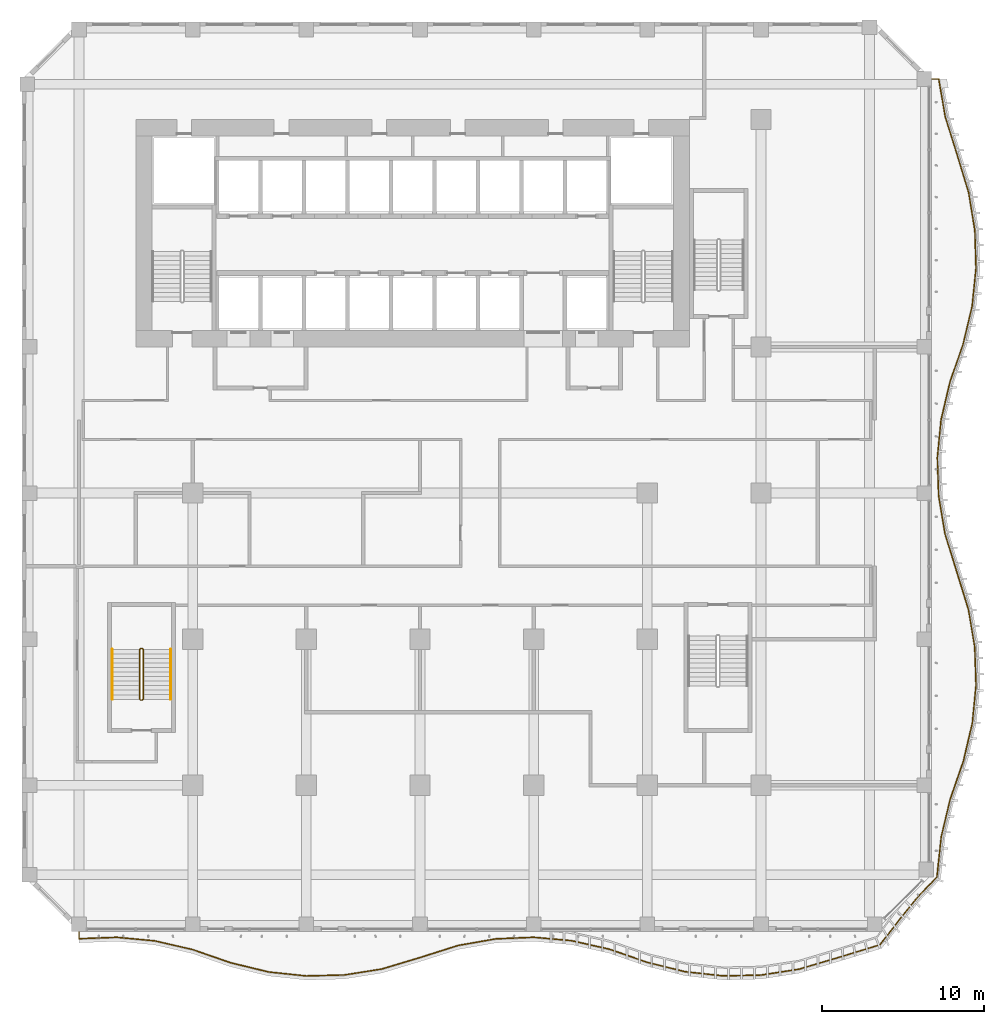
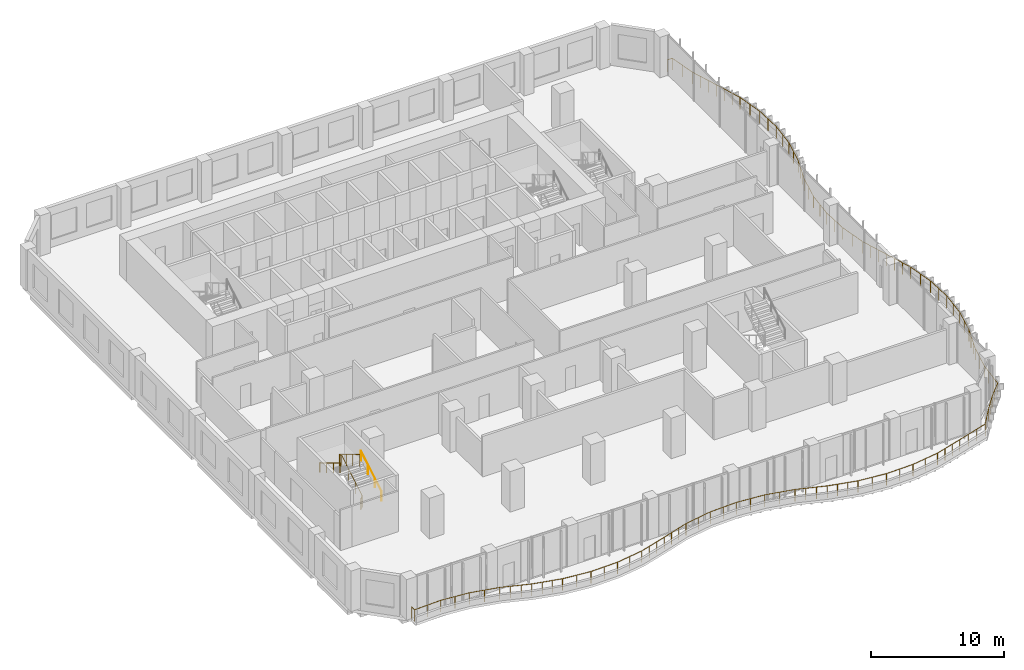
# One storey, part 18 of 25: 4 railings.
"""IFC4 building model written with IfcOpenShell, lengths in metres."""

from ifc_helpers import new_model, si_unit, direction, frame, origin, origin_2d, place, context, subcontext, project, spatial, circle, extrude, material, type_object, element, save


model = new_model("IFC4")

# Units and contexts
model_context = context("Model", 3, precision=1e-05, world=origin(), true_north=direction((0.0, 1.0)))
body_context = subcontext(model_context, "Body", "Model", "MODEL_VIEW")
ifc_project = project(units=[si_unit("LENGTHUNIT", "METRE"), si_unit("AREAUNIT", "SQUARE_METRE"), si_unit("VOLUMEUNIT", "CUBIC_METRE"), si_unit("PLANEANGLEUNIT", "RADIAN"), si_unit("MASSUNIT", "GRAM", prefix="KILO")], contexts=[model_context])

# Site, building, storey
site_placement = place(None, origin())
site = spatial("IfcSite", under=ifc_project, at=site_placement, CompositionType="ELEMENT")
building_placement = place(site_placement, origin())
building = spatial("IfcBuilding", under=site, at=building_placement, Name="Kilnfold Tower and Market Hall", CompositionType="ELEMENT")
storey_placement = place(building_placement, frame((0.0, 0.0, 67.199951171875)))
storey = spatial("IfcBuildingStorey", under=building, at=storey_placement, Name="L15", CompositionType="ELEMENT", Elevation=67.199951171875)

# Railings
ifc_material_1 = material(Name="Stainless steel 316", Category="steel")
railing_type_1 = type_object("IfcRailingType", Name="CORE STAIR GUARD 1100", PredefinedType="GUARDRAIL", material=ifc_material_1)
railing_1_placement = place(storey_placement, frame((-15.699951171875, -13.75, 0.0)))
element("IfcRailing", 1, at=railing_1_placement, inside=storey, type_object=railing_type_1, Name="L15 ST3 stair guard 1", PredefinedType="GUARDRAIL", context=body_context, shape_type="SweptSolid", body=[
    extrude(circle(Radius=0.02392578125, at=origin_2d()), frame((0.0, 0.0, 1.076171875), z_axis=(1.0, 0.0, 0.0), x_axis=(0.0, 1.0, 0.0)), (0.0, 0.0, 1.0), 0.099853515625),
    extrude(circle(Radius=0.02392578125, at=origin_2d()), frame((0.099853515625, 0.0, 1.076171875), z_axis=(0.27628659633, 0.27628659633, 0.920506074601), x_axis=(-0.707106781187, 0.707106781187, 0.0)), (0.0, 0.0, 1.0), 0.18115234375),
    extrude(circle(Radius=0.02392578125, at=origin_2d()), frame((0.14990234375, 0.050048828125, 1.24267578125), z_axis=(0.0, 0.859290745958, 0.51148745235), x_axis=(-1.0, 0.0, 0.0)), (0.0, 0.0, 1.0), 3.584228515625),
    extrude(circle(Radius=0.02392578125, at=origin_2d()), frame((0.14990234375, 3.1298828125, 3.076171875), z_axis=(-0.707106781187, 0.707106781187, 0.0), x_axis=(-0.707106781187, -0.707106781187, 0.0)), (0.0, 0.0, 1.0), 0.07080078125),
    extrude(circle(Radius=0.02392578125, at=origin_2d()), frame((0.099853515625, 3.179931640625, 3.076171875), z_axis=(-1.0, 0.0, 0.0), x_axis=(0.0, -1.0, 0.0)), (0.0, 0.0, 1.0), 0.099853515625),
    extrude(circle(Radius=0.02392578125, at=origin_2d()), frame((0.0, 3.179931640625, 3.076171875), z_axis=(-0.27628659633, -0.27628659633, 0.920506074601), x_axis=(0.707106781187, -0.707106781187, 0.0)), (0.0, 0.0, 1.0), 0.18115234375),
    extrude(circle(Radius=0.02392578125, at=origin_2d()), frame((-0.050048828125, 3.1298828125, 3.24267578125), z_axis=(0.0, -0.859290745958, 0.51148745235), x_axis=(1.0, 0.0, 0.0)), (0.0, 0.0, 1.0), 3.584228515625),
    extrude(circle(Radius=0.02099609375, at=origin_2d()), origin(), (0.0, 0.0, 1.0), 1.052001953125),
    extrude(circle(Radius=0.02099609375, at=origin_2d()), frame((0.099853515625, 0.0, 0.0)), (0.0, 0.0, 1.0), 1.052001953125),
    extrude(circle(Radius=0.02099609375, at=origin_2d()), frame((0.14990234375, 0.050048828125, 0.166748046875)), (0.0, 0.0, 1.0), 1.052001953125),
    extrude(circle(Radius=0.02099609375, at=origin_2d()), frame((0.14990234375, 1.07666015625, 0.77783203125)), (0.0, 0.0, 1.0), 1.052001953125),
    extrude(circle(Radius=0.02099609375, at=origin_2d()), frame((0.14990234375, 2.103271484375, 1.388916015625)), (0.0, 0.0, 1.0), 1.052001953125),
    extrude(circle(Radius=0.02099609375, at=origin_2d()), frame((0.14990234375, 3.1298828125, 2.0)), (0.0, 0.0, 1.0), 1.052001953125),
    extrude(circle(Radius=0.02099609375, at=origin_2d()), frame((0.099853515625, 3.179931640625, 2.0)), (0.0, 0.0, 1.0), 1.052001953125),
    extrude(circle(Radius=0.02099609375, at=origin_2d()), frame((0.0, 3.179931640625, 2.0)), (0.0, 0.0, 1.0), 1.052001953125),
    extrude(circle(Radius=0.02099609375, at=origin_2d()), frame((-0.050048828125, 3.1298828125, 2.166748046875)), (0.0, 0.0, 1.0), 1.052001953125),
    extrude(circle(Radius=0.02099609375, at=origin_2d()), frame((-0.050048828125, 2.103271484375, 2.77783203125)), (0.0, 0.0, 1.0), 1.052001953125),
    extrude(circle(Radius=0.02099609375, at=origin_2d()), frame((-0.050048828125, 1.07666015625, 3.388916015625)), (0.0, 0.0, 1.0), 1.052001953125),
    extrude(circle(Radius=0.02099609375, at=origin_2d()), frame((-0.050048828125, 0.050048828125, 4.0)), (0.0, 0.0, 1.0), 1.052001953125),
])
ifc_material_2 = material(Name="Stainless steel 316", Category="steel")
railing_type_2 = type_object("IfcRailingType", Name="CORE STAIR HANDRAIL 900", PredefinedType="HANDRAIL", material=ifc_material_2)
railing_2_placement = place(storey_placement, frame((-13.85009765625, -13.699951171875, 0.166748046875)))
element("IfcRailing", 2, at=railing_2_placement, inside=storey, type_object=railing_type_2, Name="L15 ST3 stair handrail 1", PredefinedType="HANDRAIL", context=body_context, shape_type="SweptSolid", body=[
    extrude(circle(Radius=0.02392578125, at=origin_2d()), frame((0.0, 0.0, 0.8759765625), z_axis=(0.0, 0.859290745958, 0.51148745235), x_axis=(-1.0, 0.0, 0.0)), (0.0, 0.0, 1.0), 3.584228515625),
    extrude(circle(Radius=0.02099609375, at=origin_2d()), origin(), (0.0, 0.0, 1.0), 0.851806640625),
    extrude(circle(Radius=0.02099609375, at=origin_2d()), frame((0.0, 1.026611328125, 0.611083984375)), (0.0, 0.0, 1.0), 0.851806640625),
    extrude(circle(Radius=0.02099609375, at=origin_2d()), frame((0.0, 2.05322265625, 1.22216796875)), (0.0, 0.0, 1.0), 0.851806640625),
    extrude(circle(Radius=0.02099609375, at=origin_2d()), frame((0.0, 3.079833984375, 1.833251953125)), (0.0, 0.0, 1.0), 0.851806640625),
])
railing_3_placement = place(storey_placement, frame((-17.449951171875, -10.6201171875, 2.166748046875)))
element("IfcRailing", 3, at=railing_3_placement, inside=storey, type_object=railing_type_2, Name="L15 ST3 stair handrail 2", PredefinedType="HANDRAIL", context=body_context, shape_type="SweptSolid", body=[
    extrude(circle(Radius=0.02392578125, at=origin_2d()), frame((0.0, 0.0, 0.8759765625), z_axis=(0.0, -0.859290745958, 0.51148745235), x_axis=(1.0, 0.0, 0.0)), (0.0, 0.0, 1.0), 3.584228515625),
    extrude(circle(Radius=0.02099609375, at=origin_2d()), origin(), (0.0, 0.0, 1.0), 0.851806640625),
    extrude(circle(Radius=0.02099609375, at=origin_2d()), frame((0.0, -1.026611328125, 0.611083984375)), (0.0, 0.0, 1.0), 0.851806640625),
    extrude(circle(Radius=0.02099609375, at=origin_2d()), frame((0.0, -2.05322265625, 1.22216796875)), (0.0, 0.0, 1.0), 0.851806640625),
    extrude(circle(Radius=0.02099609375, at=origin_2d()), frame((0.0, -3.079833984375, 1.833251953125)), (0.0, 0.0, 1.0), 0.851806640625),
])
ifc_material_3 = material(Name="Stainless steel and laminated glass", Category="steel")
railing_type_3 = type_object("IfcRailingType", Name="GUARD 1100", PredefinedType="GUARDRAIL", material=ifc_material_3)
railing_4_placement = place(storey_placement, frame((-19.5, -28.0, 0.0)))
element("IfcRailing", 4, at=railing_4_placement, inside=storey, type_object=railing_type_3, Name="Guard balcony L15", PredefinedType="GUARDRAIL", context=body_context, shape_type="SweptSolid", body=[
    extrude(circle(Radius=0.02490234375, at=origin_2d()), frame((0.0, 0.0, 1.0751953125), z_axis=(0.0, -1.0, 0.0), x_axis=(1.0, 0.0, 0.0)), (0.0, 0.0, 1.0), 0.44482421875),
    extrude(circle(Radius=0.02490234375, at=origin_2d()), frame((0.0, -0.44482421875, 1.0751953125), z_axis=(0.99929128772, 0.037642028208, 0.0), x_axis=(-0.037642028208, 0.99929128772, 0.0)), (0.0, 0.0, 1.0), 2.3349609375),
    extrude(circle(Radius=0.02490234375, at=origin_2d()), frame((2.333251953125, -0.35693359375, 1.0751953125), z_axis=(0.995644505792, -0.093230993166, 0.0), x_axis=(0.093230993166, 0.995644505792, 0.0)), (0.0, 0.0, 1.0), 2.34375),
    extrude(circle(Radius=0.02490234375, at=origin_2d()), frame((4.666748046875, -0.575439453125, 1.0751953125), z_axis=(0.974513070735, -0.224330726757, 0.0), x_axis=(0.224330726757, 0.974513070735, 0.0)), (0.0, 0.0, 1.0), 2.394287109375),
    extrude(circle(Radius=0.02490234375, at=origin_2d()), frame((7.0, -1.112548828125, 1.0751953125), z_axis=(0.94477785136, -0.327711476118, 0.0), x_axis=(0.327711476118, 0.94477785136, 0.0)), (0.0, 0.0, 1.0), 2.4697265625),
    extrude(circle(Radius=0.02490234375, at=origin_2d()), frame((9.333251953125, -1.921875, 1.0751953125), z_axis=(0.971689053427, -0.236263377293, 0.0), x_axis=(0.236263377293, 0.971689053427, 0.0)), (0.0, 0.0, 1.0), 2.4013671875),
    extrude(circle(Radius=0.02490234375, at=origin_2d()), frame((11.666748046875, -2.4892578125, 1.0751953125), z_axis=(0.994451154316, -0.105199342578, 0.0), x_axis=(0.105199342578, 0.994451154316, 0.0)), (0.0, 0.0, 1.0), 2.34619140625),
    extrude(circle(Radius=0.02490234375, at=origin_2d()), frame((14.0, -2.736083984375, 1.0751953125), z_axis=(0.999666187007, 0.025836303044, 0.0), x_axis=(-0.025836303044, 0.999666187007, 0.0)), (0.0, 0.0, 1.0), 2.333984375),
    extrude(circle(Radius=0.02490234375, at=origin_2d()), frame((16.333251953125, -2.67578125, 1.0751953125), z_axis=(0.987637813882, 0.156753145392, 0.0), x_axis=(-0.156753145392, 0.987637813882, 0.0)), (0.0, 0.0, 1.0), 2.36279296875),
    extrude(circle(Radius=0.02490234375, at=origin_2d()), frame((18.666748046875, -2.305419921875, 1.0751953125), z_axis=(0.957663412718, 0.287890235925, 0.0), x_axis=(-0.287890235925, 0.957663412718, 0.0)), (0.0, 0.0, 1.0), 2.436279296875),
    extrude(circle(Radius=0.02490234375, at=origin_2d()), frame((21.0, -1.60400390625, 1.0751953125), z_axis=(0.952921851424, 0.303216003995, 0.0), x_axis=(-0.303216003995, 0.952921851424, 0.0)), (0.0, 0.0, 1.0), 2.448486328125),
    extrude(circle(Radius=0.02490234375, at=origin_2d()), frame((23.333251953125, -0.861572265625, 1.0751953125), z_axis=(0.984971791129, 0.172715287919, 0.0), x_axis=(-0.172715287919, 0.984971791129, 0.0)), (0.0, 0.0, 1.0), 2.369140625),
    extrude(circle(Radius=0.02490234375, at=origin_2d()), frame((25.666748046875, -0.452392578125, 1.0751953125), z_axis=(0.999129627144, 0.041713165348, 0.0), x_axis=(-0.041713165348, 0.999129627144, 0.0)), (0.0, 0.0, 1.0), 2.335205078125),
    extrude(circle(Radius=0.02490234375, at=origin_2d()), frame((28.0, -0.35498046875, 1.0751953125), z_axis=(0.996003508368, -0.089314116006, 0.0), x_axis=(0.089314116006, 0.996003508368, 0.0)), (0.0, 0.0, 1.0), 2.342529296875),
    extrude(circle(Radius=0.02490234375, at=origin_2d()), frame((30.333251953125, -0.564208984375, 1.0751953125), z_axis=(0.975424731517, -0.220332914349, 0.0), x_axis=(0.220332914349, 0.975424731517, 0.0)), (0.0, 0.0, 1.0), 2.392333984375),
    extrude(circle(Radius=0.02490234375, at=origin_2d()), frame((32.666748046875, -1.09130859375, 1.0751953125), z_axis=(0.944930811153, -0.327270166885, 0.0), x_axis=(0.327270166885, 0.944930811153, 0.0)), (0.0, 0.0, 1.0), 2.46923828125),
    extrude(circle(Radius=0.02490234375, at=origin_2d()), frame((35.0, -1.8994140625, 1.0751953125), z_axis=(0.970719285672, -0.240216711375, 0.0), x_axis=(0.240216711375, 0.970719285672, 0.0)), (0.0, 0.0, 1.0), 2.403564453125),
    extrude(circle(Radius=0.02490234375, at=origin_2d()), frame((37.333251953125, -2.476806640625, 1.0751953125), z_axis=(0.994031227519, -0.109095915219, 0.0), x_axis=(0.109095915219, 0.994031227519, 0.0)), (0.0, 0.0, 1.0), 2.347412109375),
    extrude(circle(Radius=0.02490234375, at=origin_2d()), frame((39.666748046875, -2.73291015625, 1.0751953125), z_axis=(0.999763244951, 0.021758999158, 0.0), x_axis=(-0.021758999158, 0.999763244951, 0.0)), (0.0, 0.0, 1.0), 2.333740234375),
    extrude(circle(Radius=0.02490234375, at=origin_2d()), frame((42.0, -2.68212890625, 1.0751953125), z_axis=(0.988251847609, 0.152834177123, 0.0), x_axis=(-0.152834177123, 0.988251847609, 0.0)), (0.0, 0.0, 1.0), 2.361083984375),
    extrude(circle(Radius=0.02490234375, at=origin_2d()), frame((44.333251953125, -2.3212890625, 1.0751953125), z_axis=(0.95888005112, 0.283811640994, 0.0), x_axis=(-0.283811640994, 0.95888005112, 0.0)), (0.0, 0.0, 1.0), 2.43359375),
    extrude(circle(Radius=0.02490234375, at=origin_2d()), frame((46.666748046875, -1.630615234375, 1.0751953125), z_axis=(0.956056495729, 0.29318249773, 0.0), x_axis=(-0.29318249773, 0.956056495729, 0.0)), (0.0, 0.0, 1.0), 2.792236328125),
    extrude(circle(Radius=0.02490234375, at=origin_2d()), frame((49.336181640625, -0.81201171875, 1.0751953125), z_axis=(0.608544097831, 0.793520057084, 0.0), x_axis=(-0.793520057084, 0.608544097831, 0.0)), (0.0, 0.0, 1.0), 2.00341796875),
    extrude(circle(Radius=0.02490234375, at=origin_2d()), frame((50.555419921875, 0.77783203125, 1.0751953125), z_axis=(0.630404206472, 0.776267052284, 0.0), x_axis=(-0.776267052284, 0.630404206472, 0.0)), (0.0, 0.0, 1.0), 1.65869140625),
    extrude(circle(Radius=0.02490234375, at=origin_2d()), frame((51.60107421875, 2.0654296875, 1.0751953125), z_axis=(0.689072203812, 0.724692692066, 0.0), x_axis=(-0.724692692066, 0.689072203812, 0.0)), (0.0, 0.0, 1.0), 1.788818359375),
    extrude(circle(Radius=0.02490234375, at=origin_2d()), frame((52.833740234375, 3.36181640625, 1.0751953125), z_axis=(0.106668378268, 0.994294653047, 0.0), x_axis=(-0.994294653047, 0.106668378268, 0.0)), (0.0, 0.0, 1.0), 2.485595703125),
    extrude(circle(Radius=0.02490234375, at=origin_2d()), frame((53.098876953125, 5.833251953125, 1.0751953125), z_axis=(0.232225826385, 0.972661896838, 0.0), x_axis=(-0.972661896838, 0.232225826385, 0.0)), (0.0, 0.0, 1.0), 2.399169921875),
    extrude(circle(Radius=0.02490234375, at=origin_2d()), frame((53.656005859375, 8.166748046875, 1.0751953125), z_axis=(0.327976158754, 0.944686000367, 0.0), x_axis=(-0.944686000367, 0.327976158754, 0.0)), (0.0, 0.0, 1.0), 2.469970703125),
    extrude(circle(Radius=0.02490234375, at=origin_2d()), frame((54.466064453125, 10.5, 1.0751953125), z_axis=(0.228198867295, 0.973614542293, 0.0), x_axis=(-0.973614542293, 0.228198867295, 0.0)), (0.0, 0.0, 1.0), 2.396484375),
    extrude(circle(Radius=0.02490234375, at=origin_2d()), frame((55.012939453125, 12.833251953125, 1.0751953125), z_axis=(0.097255940957, 0.995259404351, 0.0), x_axis=(-0.995259404351, 0.097255940957, 0.0)), (0.0, 0.0, 1.0), 2.3447265625),
    extrude(circle(Radius=0.02490234375, at=origin_2d()), frame((55.240966796875, 15.166748046875, 1.0751953125), z_axis=(-0.033673473879, 0.99943288777, 0.0), x_axis=(-0.99943288777, -0.033673473879, 0.0)), (0.0, 0.0, 1.0), 2.33447265625),
    extrude(circle(Radius=0.02490234375, at=origin_2d()), frame((55.162353515625, 17.5, 1.0751953125), z_axis=(-0.164817368585, 0.986324102419, 0.0), x_axis=(-0.986324102419, -0.164817368585, 0.0)), (0.0, 0.0, 1.0), 2.36572265625),
    extrude(circle(Radius=0.02490234375, at=origin_2d()), frame((54.7724609375, 19.833251953125, 1.0751953125), z_axis=(-0.295735845624, 0.95526975751, 0.0), x_axis=(-0.95526975751, -0.295735845624, 0.0)), (0.0, 0.0, 1.0), 2.44287109375),
    extrude(circle(Radius=0.02490234375, at=origin_2d()), frame((54.050048828125, 22.166748046875, 1.0751953125), z_axis=(-0.29585528967, 0.955232771409, 0.0), x_axis=(-0.955232771409, -0.29585528967, 0.0)), (0.0, 0.0, 1.0), 2.442626953125),
    extrude(circle(Radius=0.02490234375, at=origin_2d()), frame((53.327392578125, 24.5, 1.0751953125), z_axis=(-0.164716965182, 0.986340874841, 0.0), x_axis=(-0.986340874841, -0.164716965182, 0.0)), (0.0, 0.0, 1.0), 2.365478515625),
    extrude(circle(Radius=0.02490234375, at=origin_2d()), frame((52.937744140625, 26.833251953125, 1.0751953125), z_axis=(-0.033774400789, 0.99942948218, 0.0), x_axis=(-0.99942948218, -0.033774400789, 0.0)), (0.0, 0.0, 1.0), 2.334716796875),
    extrude(circle(Radius=0.02490234375, at=origin_2d()), frame((52.85888671875, 29.166748046875, 1.0751953125), z_axis=(0.097266021095, 0.995258419276, 0.0), x_axis=(-0.995258419276, 0.097266021095, 0.0)), (0.0, 0.0, 1.0), 2.344482421875),
    extrude(circle(Radius=0.02490234375, at=origin_2d()), frame((53.0869140625, 31.5, 1.0751953125), z_axis=(0.228295433335, 0.973591903786, 0.0), x_axis=(-0.973591903786, 0.228295433335, 0.0)), (0.0, 0.0, 1.0), 2.396484375),
    extrude(circle(Radius=0.02490234375, at=origin_2d()), frame((53.634033203125, 33.833251953125, 1.0751953125), z_axis=(0.327945535063, 0.944696631746, 0.0), x_axis=(-0.944696631746, 0.327945535063, 0.0)), (0.0, 0.0, 1.0), 2.47021484375),
    extrude(circle(Radius=0.02490234375, at=origin_2d()), frame((54.444091796875, 36.166748046875, 1.0751953125), z_axis=(0.232248814801, 0.972656408, 0.0), x_axis=(-0.972656408, 0.232248814801, 0.0)), (0.0, 0.0, 1.0), 2.39892578125),
    extrude(circle(Radius=0.02490234375, at=origin_2d()), frame((55.001220703125, 38.5, 1.0751953125), z_axis=(0.101286610936, 0.994857287477, 0.0), x_axis=(-0.994857287477, 0.101286610936, 0.0)), (0.0, 0.0, 1.0), 2.34521484375),
    extrude(circle(Radius=0.02490234375, at=origin_2d()), frame((55.23876953125, 40.833251953125, 1.0751953125), z_axis=(-0.029804706654, 0.999555741048, 0.0), x_axis=(-0.999555741048, -0.029804706654, 0.0)), (0.0, 0.0, 1.0), 2.33447265625),
    extrude(circle(Radius=0.02490234375, at=origin_2d()), frame((55.169189453125, 43.166748046875, 1.0751953125), z_axis=(-0.160797265855, 0.986987456503, 0.0), x_axis=(-0.986987456503, -0.160797265855, 0.0)), (0.0, 0.0, 1.0), 2.364013671875),
    extrude(circle(Radius=0.02490234375, at=origin_2d()), frame((54.7890625, 45.5, 1.0751953125), z_axis=(-0.291834576062, 0.956468807758, 0.0), x_axis=(-0.956468807758, -0.291834576062, 0.0)), (0.0, 0.0, 1.0), 2.439453125),
    extrude(circle(Radius=0.02490234375, at=origin_2d()), frame((54.0771484375, 47.833251953125, 1.0751953125), z_axis=(-0.299650095299, 0.954049170843, 0.0), x_axis=(-0.954049170843, -0.299650095299, 0.0)), (0.0, 0.0, 1.0), 2.44580078125),
    extrude(circle(Radius=0.02490234375, at=origin_2d()), frame((53.34423828125, 50.166748046875, 1.0751953125), z_axis=(-0.168729077701, 0.985662466739, 0.0), x_axis=(-0.985662466739, -0.168729077701, 0.0)), (0.0, 0.0, 1.0), 2.3671875),
    extrude(circle(Radius=0.02490234375, at=origin_2d()), frame((52.94482421875, 52.5, 1.0751953125), z_axis=(-1.0, 0.0, 0.0), x_axis=(0.0, -1.0, 0.0)), (0.0, 0.0, 1.0), 0.44482421875),
    extrude(circle(Radius=0.02490234375, at=origin_2d()), origin(), (0.0, 0.0, 1.0), 1.050048828125),
    extrude(circle(Radius=0.02490234375, at=origin_2d()), frame((0.0, -0.44482421875, 0.0)), (0.0, 0.0, 1.0), 1.050048828125),
    extrude(circle(Radius=0.02490234375, at=origin_2d()), frame((1.16650390625, -0.40087890625, 0.0)), (0.0, 0.0, 1.0), 1.050048828125),
    extrude(circle(Radius=0.02490234375, at=origin_2d()), frame((2.333251953125, -0.35693359375, 0.0)), (0.0, 0.0, 1.0), 1.050048828125),
    extrude(circle(Radius=0.02490234375, at=origin_2d()), frame((3.5, -0.46630859375, 0.0)), (0.0, 0.0, 1.0), 1.050048828125),
    extrude(circle(Radius=0.02490234375, at=origin_2d()), frame((4.666748046875, -0.575439453125, 0.0)), (0.0, 0.0, 1.0), 1.050048828125),
    extrude(circle(Radius=0.02490234375, at=origin_2d()), frame((5.83349609375, -0.843994140625, 0.0)), (0.0, 0.0, 1.0), 1.050048828125),
    extrude(circle(Radius=0.02490234375, at=origin_2d()), frame((7.0, -1.112548828125, 0.0)), (0.0, 0.0, 1.0), 1.050048828125),
    extrude(circle(Radius=0.02490234375, at=origin_2d()), frame((7.77783203125, -1.38232421875, 0.0)), (0.0, 0.0, 1.0), 1.050048828125),
    extrude(circle(Radius=0.02490234375, at=origin_2d()), frame((8.555419921875, -1.652099609375, 0.0)), (0.0, 0.0, 1.0), 1.050048828125),
    extrude(circle(Radius=0.02490234375, at=origin_2d()), frame((9.333251953125, -1.921875, 0.0)), (0.0, 0.0, 1.0), 1.050048828125),
    extrude(circle(Radius=0.02490234375, at=origin_2d()), frame((10.111083984375, -2.111083984375, 0.0)), (0.0, 0.0, 1.0), 1.050048828125),
    extrude(circle(Radius=0.02490234375, at=origin_2d()), frame((10.888916015625, -2.300048828125, 0.0)), (0.0, 0.0, 1.0), 1.050048828125),
    extrude(circle(Radius=0.02490234375, at=origin_2d()), frame((11.666748046875, -2.4892578125, 0.0)), (0.0, 0.0, 1.0), 1.050048828125),
    extrude(circle(Radius=0.02490234375, at=origin_2d()), frame((12.83349609375, -2.61279296875, 0.0)), (0.0, 0.0, 1.0), 1.050048828125),
    extrude(circle(Radius=0.02490234375, at=origin_2d()), frame((14.0, -2.736083984375, 0.0)), (0.0, 0.0, 1.0), 1.050048828125),
    extrude(circle(Radius=0.02490234375, at=origin_2d()), frame((15.16650390625, -2.7060546875, 0.0)), (0.0, 0.0, 1.0), 1.050048828125),
    extrude(circle(Radius=0.02490234375, at=origin_2d()), frame((16.333251953125, -2.67578125, 0.0)), (0.0, 0.0, 1.0), 1.050048828125),
    extrude(circle(Radius=0.02490234375, at=origin_2d()), frame((17.5, -2.49072265625, 0.0)), (0.0, 0.0, 1.0), 1.050048828125),
    extrude(circle(Radius=0.02490234375, at=origin_2d()), frame((18.666748046875, -2.305419921875, 0.0)), (0.0, 0.0, 1.0), 1.050048828125),
    extrude(circle(Radius=0.02490234375, at=origin_2d()), frame((19.444580078125, -2.071533203125, 0.0)), (0.0, 0.0, 1.0), 1.050048828125),
    extrude(circle(Radius=0.02490234375, at=origin_2d()), frame((20.22216796875, -1.837890625, 0.0)), (0.0, 0.0, 1.0), 1.050048828125),
    extrude(circle(Radius=0.02490234375, at=origin_2d()), frame((21.0, -1.60400390625, 0.0)), (0.0, 0.0, 1.0), 1.050048828125),
    extrude(circle(Radius=0.02490234375, at=origin_2d()), frame((21.77783203125, -1.3564453125, 0.0)), (0.0, 0.0, 1.0), 1.050048828125),
    extrude(circle(Radius=0.02490234375, at=origin_2d()), frame((22.555419921875, -1.109130859375, 0.0)), (0.0, 0.0, 1.0), 1.050048828125),
    extrude(circle(Radius=0.02490234375, at=origin_2d()), frame((23.333251953125, -0.861572265625, 0.0)), (0.0, 0.0, 1.0), 1.050048828125),
    extrude(circle(Radius=0.02490234375, at=origin_2d()), frame((24.5, -0.656982421875, 0.0)), (0.0, 0.0, 1.0), 1.050048828125),
    extrude(circle(Radius=0.02490234375, at=origin_2d()), frame((25.666748046875, -0.452392578125, 0.0)), (0.0, 0.0, 1.0), 1.050048828125),
    extrude(circle(Radius=0.02490234375, at=origin_2d()), frame((26.83349609375, -0.40380859375, 0.0)), (0.0, 0.0, 1.0), 1.050048828125),
    extrude(circle(Radius=0.02490234375, at=origin_2d()), frame((28.0, -0.35498046875, 0.0)), (0.0, 0.0, 1.0), 1.050048828125),
    extrude(circle(Radius=0.02490234375, at=origin_2d()), frame((29.16650390625, -0.45947265625, 0.0)), (0.0, 0.0, 1.0), 1.050048828125),
    extrude(circle(Radius=0.02490234375, at=origin_2d()), frame((30.333251953125, -0.564208984375, 0.0)), (0.0, 0.0, 1.0), 1.050048828125),
    extrude(circle(Radius=0.02490234375, at=origin_2d()), frame((31.5, -0.82763671875, 0.0)), (0.0, 0.0, 1.0), 1.050048828125),
    extrude(circle(Radius=0.02490234375, at=origin_2d()), frame((32.666748046875, -1.09130859375, 0.0)), (0.0, 0.0, 1.0), 1.050048828125),
    extrude(circle(Radius=0.02490234375, at=origin_2d()), frame((33.444580078125, -1.360595703125, 0.0)), (0.0, 0.0, 1.0), 1.050048828125),
    extrude(circle(Radius=0.02490234375, at=origin_2d()), frame((34.22216796875, -1.630126953125, 0.0)), (0.0, 0.0, 1.0), 1.050048828125),
    extrude(circle(Radius=0.02490234375, at=origin_2d()), frame((35.0, -1.8994140625, 0.0)), (0.0, 0.0, 1.0), 1.050048828125),
    extrude(circle(Radius=0.02490234375, at=origin_2d()), frame((35.77783203125, -2.091796875, 0.0)), (0.0, 0.0, 1.0), 1.050048828125),
    extrude(circle(Radius=0.02490234375, at=origin_2d()), frame((36.555419921875, -2.284423828125, 0.0)), (0.0, 0.0, 1.0), 1.050048828125),
    extrude(circle(Radius=0.02490234375, at=origin_2d()), frame((37.333251953125, -2.476806640625, 0.0)), (0.0, 0.0, 1.0), 1.050048828125),
    extrude(circle(Radius=0.02490234375, at=origin_2d()), frame((38.5, -2.60498046875, 0.0)), (0.0, 0.0, 1.0), 1.050048828125),
    extrude(circle(Radius=0.02490234375, at=origin_2d()), frame((39.666748046875, -2.73291015625, 0.0)), (0.0, 0.0, 1.0), 1.050048828125),
    extrude(circle(Radius=0.02490234375, at=origin_2d()), frame((40.83349609375, -2.70751953125, 0.0)), (0.0, 0.0, 1.0), 1.050048828125),
    extrude(circle(Radius=0.02490234375, at=origin_2d()), frame((42.0, -2.68212890625, 0.0)), (0.0, 0.0, 1.0), 1.050048828125),
    extrude(circle(Radius=0.02490234375, at=origin_2d()), frame((43.16650390625, -2.501708984375, 0.0)), (0.0, 0.0, 1.0), 1.050048828125),
    extrude(circle(Radius=0.02490234375, at=origin_2d()), frame((44.333251953125, -2.3212890625, 0.0)), (0.0, 0.0, 1.0), 1.050048828125),
    extrude(circle(Radius=0.02490234375, at=origin_2d()), frame((45.111083984375, -2.091064453125, 0.0)), (0.0, 0.0, 1.0), 1.050048828125),
    extrude(circle(Radius=0.02490234375, at=origin_2d()), frame((45.888916015625, -1.86083984375, 0.0)), (0.0, 0.0, 1.0), 1.050048828125),
    extrude(circle(Radius=0.02490234375, at=origin_2d()), frame((46.666748046875, -1.630615234375, 0.0)), (0.0, 0.0, 1.0), 1.050048828125),
    extrude(circle(Radius=0.02490234375, at=origin_2d()), frame((47.556640625, -1.357666015625, 0.0)), (0.0, 0.0, 1.0), 1.050048828125),
    extrude(circle(Radius=0.02490234375, at=origin_2d()), frame((48.4462890625, -1.0849609375, 0.0)), (0.0, 0.0, 1.0), 1.050048828125),
    extrude(circle(Radius=0.02490234375, at=origin_2d()), frame((49.336181640625, -0.81201171875, 0.0)), (0.0, 0.0, 1.0), 1.050048828125),
    extrude(circle(Radius=0.02490234375, at=origin_2d()), frame((49.94580078125, -0.01708984375, 0.0)), (0.0, 0.0, 1.0), 1.050048828125),
    extrude(circle(Radius=0.02490234375, at=origin_2d()), frame((50.555419921875, 0.77783203125, 0.0)), (0.0, 0.0, 1.0), 1.050048828125),
    extrude(circle(Radius=0.02490234375, at=origin_2d()), frame((51.078125, 1.421630859375, 0.0)), (0.0, 0.0, 1.0), 1.050048828125),
    extrude(circle(Radius=0.02490234375, at=origin_2d()), frame((51.60107421875, 2.0654296875, 0.0)), (0.0, 0.0, 1.0), 1.050048828125),
    extrude(circle(Radius=0.02490234375, at=origin_2d()), frame((52.21728515625, 2.713623046875, 0.0)), (0.0, 0.0, 1.0), 1.050048828125),
    extrude(circle(Radius=0.02490234375, at=origin_2d()), frame((52.833740234375, 3.36181640625, 0.0)), (0.0, 0.0, 1.0), 1.050048828125),
    extrude(circle(Radius=0.02490234375, at=origin_2d()), frame((52.922119140625, 4.185546875, 0.0)), (0.0, 0.0, 1.0), 1.050048828125),
    extrude(circle(Radius=0.02490234375, at=origin_2d()), frame((53.010498046875, 5.009521484375, 0.0)), (0.0, 0.0, 1.0), 1.050048828125),
    extrude(circle(Radius=0.02490234375, at=origin_2d()), frame((53.098876953125, 5.833251953125, 0.0)), (0.0, 0.0, 1.0), 1.050048828125),
    extrude(circle(Radius=0.02490234375, at=origin_2d()), frame((53.37744140625, 7.0, 0.0)), (0.0, 0.0, 1.0), 1.050048828125),
    extrude(circle(Radius=0.02490234375, at=origin_2d()), frame((53.656005859375, 8.166748046875, 0.0)), (0.0, 0.0, 1.0), 1.050048828125),
    extrude(circle(Radius=0.02490234375, at=origin_2d()), frame((53.926025390625, 8.944580078125, 0.0)), (0.0, 0.0, 1.0), 1.050048828125),
    extrude(circle(Radius=0.02490234375, at=origin_2d()), frame((54.196044921875, 9.72216796875, 0.0)), (0.0, 0.0, 1.0), 1.050048828125),
    extrude(circle(Radius=0.02490234375, at=origin_2d()), frame((54.466064453125, 10.5, 0.0)), (0.0, 0.0, 1.0), 1.050048828125),
    extrude(circle(Radius=0.02490234375, at=origin_2d()), frame((54.739501953125, 11.66650390625, 0.0)), (0.0, 0.0, 1.0), 1.050048828125),
    extrude(circle(Radius=0.02490234375, at=origin_2d()), frame((55.012939453125, 12.833251953125, 0.0)), (0.0, 0.0, 1.0), 1.050048828125),
    extrude(circle(Radius=0.02490234375, at=origin_2d()), frame((55.126953125, 14.0, 0.0)), (0.0, 0.0, 1.0), 1.050048828125),
    extrude(circle(Radius=0.02490234375, at=origin_2d()), frame((55.240966796875, 15.166748046875, 0.0)), (0.0, 0.0, 1.0), 1.050048828125),
    extrude(circle(Radius=0.02490234375, at=origin_2d()), frame((55.20166015625, 16.33349609375, 0.0)), (0.0, 0.0, 1.0), 1.050048828125),
    extrude(circle(Radius=0.02490234375, at=origin_2d()), frame((55.162353515625, 17.5, 0.0)), (0.0, 0.0, 1.0), 1.050048828125),
    extrude(circle(Radius=0.02490234375, at=origin_2d()), frame((54.96728515625, 18.66650390625, 0.0)), (0.0, 0.0, 1.0), 1.050048828125),
    extrude(circle(Radius=0.02490234375, at=origin_2d()), frame((54.7724609375, 19.833251953125, 0.0)), (0.0, 0.0, 1.0), 1.050048828125),
    extrude(circle(Radius=0.02490234375, at=origin_2d()), frame((54.53173828125, 20.611083984375, 0.0)), (0.0, 0.0, 1.0), 1.050048828125),
    extrude(circle(Radius=0.02490234375, at=origin_2d()), frame((54.290771484375, 21.388916015625, 0.0)), (0.0, 0.0, 1.0), 1.050048828125),
    extrude(circle(Radius=0.02490234375, at=origin_2d()), frame((54.050048828125, 22.166748046875, 0.0)), (0.0, 0.0, 1.0), 1.050048828125),
    extrude(circle(Radius=0.02490234375, at=origin_2d()), frame((53.80908203125, 22.944580078125, 0.0)), (0.0, 0.0, 1.0), 1.050048828125),
    extrude(circle(Radius=0.02490234375, at=origin_2d()), frame((53.568359375, 23.72216796875, 0.0)), (0.0, 0.0, 1.0), 1.050048828125),
    extrude(circle(Radius=0.02490234375, at=origin_2d()), frame((53.327392578125, 24.5, 0.0)), (0.0, 0.0, 1.0), 1.050048828125),
    extrude(circle(Radius=0.02490234375, at=origin_2d()), frame((53.132568359375, 25.66650390625, 0.0)), (0.0, 0.0, 1.0), 1.050048828125),
    extrude(circle(Radius=0.02490234375, at=origin_2d()), frame((52.937744140625, 26.833251953125, 0.0)), (0.0, 0.0, 1.0), 1.050048828125),
    extrude(circle(Radius=0.02490234375, at=origin_2d()), frame((52.8984375, 28.0, 0.0)), (0.0, 0.0, 1.0), 1.050048828125),
    extrude(circle(Radius=0.02490234375, at=origin_2d()), frame((52.85888671875, 29.166748046875, 0.0)), (0.0, 0.0, 1.0), 1.050048828125),
    extrude(circle(Radius=0.02490234375, at=origin_2d()), frame((52.972900390625, 30.33349609375, 0.0)), (0.0, 0.0, 1.0), 1.050048828125),
    extrude(circle(Radius=0.02490234375, at=origin_2d()), frame((53.0869140625, 31.5, 0.0)), (0.0, 0.0, 1.0), 1.050048828125),
    extrude(circle(Radius=0.02490234375, at=origin_2d()), frame((53.3603515625, 32.66650390625, 0.0)), (0.0, 0.0, 1.0), 1.050048828125),
    extrude(circle(Radius=0.02490234375, at=origin_2d()), frame((53.634033203125, 33.833251953125, 0.0)), (0.0, 0.0, 1.0), 1.050048828125),
    extrude(circle(Radius=0.02490234375, at=origin_2d()), frame((53.904052734375, 34.611083984375, 0.0)), (0.0, 0.0, 1.0), 1.050048828125),
    extrude(circle(Radius=0.02490234375, at=origin_2d()), frame((54.174072265625, 35.388916015625, 0.0)), (0.0, 0.0, 1.0), 1.050048828125),
    extrude(circle(Radius=0.02490234375, at=origin_2d()), frame((54.444091796875, 36.166748046875, 0.0)), (0.0, 0.0, 1.0), 1.050048828125),
    extrude(circle(Radius=0.02490234375, at=origin_2d()), frame((54.72265625, 37.33349609375, 0.0)), (0.0, 0.0, 1.0), 1.050048828125),
    extrude(circle(Radius=0.02490234375, at=origin_2d()), frame((55.001220703125, 38.5, 0.0)), (0.0, 0.0, 1.0), 1.050048828125),
    extrude(circle(Radius=0.02490234375, at=origin_2d()), frame((55.1201171875, 39.66650390625, 0.0)), (0.0, 0.0, 1.0), 1.050048828125),
    extrude(circle(Radius=0.02490234375, at=origin_2d()), frame((55.23876953125, 40.833251953125, 0.0)), (0.0, 0.0, 1.0), 1.050048828125),
    extrude(circle(Radius=0.02490234375, at=origin_2d()), frame((55.2041015625, 42.0, 0.0)), (0.0, 0.0, 1.0), 1.050048828125),
    extrude(circle(Radius=0.02490234375, at=origin_2d()), frame((55.169189453125, 43.166748046875, 0.0)), (0.0, 0.0, 1.0), 1.050048828125),
    extrude(circle(Radius=0.02490234375, at=origin_2d()), frame((54.97900390625, 44.33349609375, 0.0)), (0.0, 0.0, 1.0), 1.050048828125),
    extrude(circle(Radius=0.02490234375, at=origin_2d()), frame((54.7890625, 45.5, 0.0)), (0.0, 0.0, 1.0), 1.050048828125),
    extrude(circle(Radius=0.02490234375, at=origin_2d()), frame((54.5517578125, 46.27783203125, 0.0)), (0.0, 0.0, 1.0), 1.050048828125),
    extrude(circle(Radius=0.02490234375, at=origin_2d()), frame((54.314453125, 47.055419921875, 0.0)), (0.0, 0.0, 1.0), 1.050048828125),
    extrude(circle(Radius=0.02490234375, at=origin_2d()), frame((54.0771484375, 47.833251953125, 0.0)), (0.0, 0.0, 1.0), 1.050048828125),
    extrude(circle(Radius=0.02490234375, at=origin_2d()), frame((53.832763671875, 48.611083984375, 0.0)), (0.0, 0.0, 1.0), 1.050048828125),
    extrude(circle(Radius=0.02490234375, at=origin_2d()), frame((53.588623046875, 49.388916015625, 0.0)), (0.0, 0.0, 1.0), 1.050048828125),
    extrude(circle(Radius=0.02490234375, at=origin_2d()), frame((53.34423828125, 50.166748046875, 0.0)), (0.0, 0.0, 1.0), 1.050048828125),
    extrude(circle(Radius=0.02490234375, at=origin_2d()), frame((53.14453125, 51.33349609375, 0.0)), (0.0, 0.0, 1.0), 1.050048828125),
    extrude(circle(Radius=0.02490234375, at=origin_2d()), frame((52.94482421875, 52.5, 0.0)), (0.0, 0.0, 1.0), 1.050048828125),
    extrude(circle(Radius=0.02490234375, at=origin_2d()), frame((52.5, 52.5, 0.0)), (0.0, 0.0, 1.0), 1.050048828125),
])

save(model, "model.ifc")
